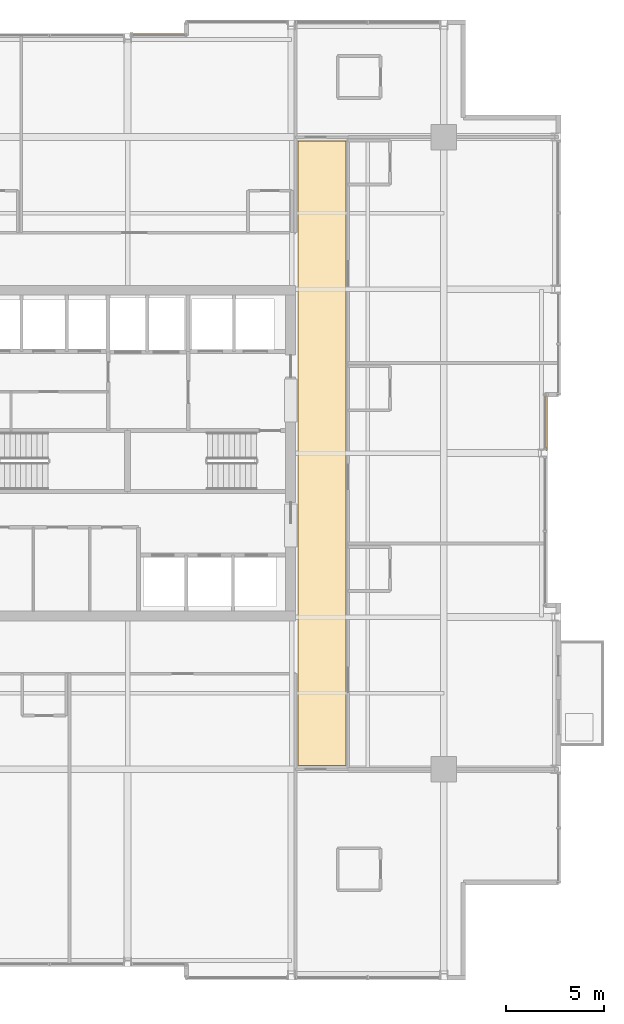
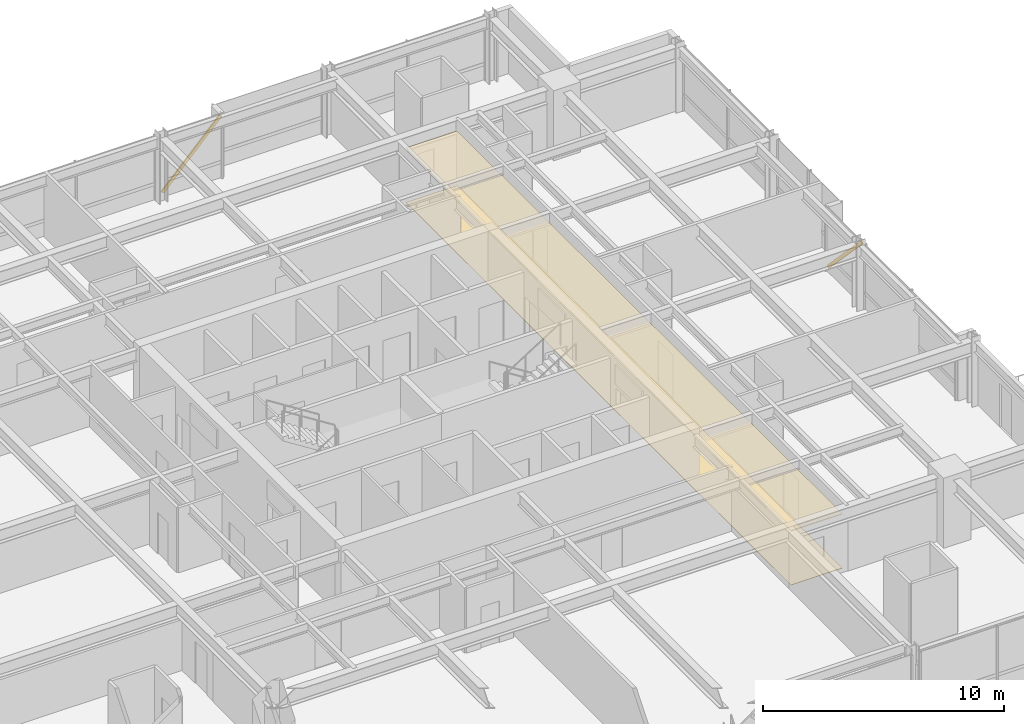
# One storey, part 33 of 33: 2 coverings, 2 shading devices.
"""IFC4 building model written with IfcOpenShell, lengths in metres."""

from ifc_helpers import new_model, si_unit, direction, frame, origin, origin_2d, place, context, subcontext, project, spatial, polyline, hollow_rectangle, outline, extrude, material, layer, layer_set, material_profile, profile_set, type_object, element, save


model = new_model("IFC4")

# Units and contexts
model_context = context("Model", 3, precision=1e-05, world=origin(), true_north=direction((0.0, 1.0)))
body_context = subcontext(model_context, "Body", "Model", "MODEL_VIEW")
ifc_project = project(units=[si_unit("LENGTHUNIT", "METRE"), si_unit("AREAUNIT", "SQUARE_METRE"), si_unit("VOLUMEUNIT", "CUBIC_METRE"), si_unit("PLANEANGLEUNIT", "RADIAN"), si_unit("MASSUNIT", "GRAM", prefix="KILO")], contexts=[model_context])

# Site, building, storey
site_placement = place(None, origin())
site = spatial("IfcSite", under=ifc_project, at=site_placement, CompositionType="ELEMENT")
building_placement = place(site_placement, origin())
building = spatial("IfcBuilding", under=site, at=building_placement, Name="Drelvath Grand Hotel", CompositionType="ELEMENT")
storey_placement = place(building_placement, frame((0.0, 0.0, 161.050048828125)))
storey = spatial("IfcBuildingStorey", under=building, at=storey_placement, Name="L41", CompositionType="ELEMENT", Elevation=161.050048828125)

# Shading devices
ifc_material_1 = material(Name="Brushed Pale-Silver Anodised Aluminium", Category="aluminium")
ifc_material_profile = material_profile(ifc_material_1, hollow_rectangle(XDim=0.06494140625, YDim=0.159912109375, WallThickness=0.00390625, at=origin_2d()), Name="HSS160X65X4")
ifc_profile_set = profile_set([ifc_material_profile], Name="Brushed Pale-Silver Anodised Aluminium")
shading_device_type = type_object("IfcShadingDeviceType", Name="Diagonal Solar Fin Pale-Silver Anodised HSS160X65X4", PredefinedType="USERDEFINED", material=ifc_profile_set)
for number, where, z_axis, x_axis, name in (
    (1, (21.47998046875, 30.0, 0.179931640625), (0.0, -0.690869667708, 0.722979323523), (1.0, 0.0, 0.0), "L41 Diagonal Anodised Fin CW04-L41-EM2"),
    (2, (0.2001953125, 48.47998046875, 0.179931640625), (0.690869667708, 0.0, 0.722979323523), (0.0, 1.0, 0.0), "L41 Diagonal Anodised Fin CW04-L41-NM2"),
):
    element("IfcShadingDevice", number, at=place(storey_placement, frame(where, z_axis=z_axis, x_axis=x_axis)), inside=storey, type_object=shading_device_type, Name=name, ObjectType="FIN", PredefinedType="USERDEFINED", context=body_context, shape_type="SweptSolid", body=[
        extrude(hollow_rectangle(XDim=0.06494140625, YDim=0.159912109375, WallThickness=0.00390625, at=origin_2d()), origin(), (0.0, 0.0, 1.0), 4.052490234375),
    ])

# Coverings
ifc_material_2 = material(Name="Woven Wool Broadloom Carpet")
ifc_layer_1 = layer(ifc_material_2, 0.01806640625)
ifc_layer_set_1 = layer_set([ifc_layer_1], Name="Woven Wool Broadloom Carpet")
covering_type_1 = type_object("IfcCoveringType", Name="Hospitality Broadloom Carpet 18", PredefinedType="FLOORING", material=ifc_layer_set_1)
covering_1_placement = place(storey_placement, origin())
element("IfcCovering", 3, at=covering_1_placement, inside=storey, type_object=covering_type_1, Name="L41 East Spine Carpet", PredefinedType="FLOORING", context=body_context, shape_type="SweptSolid", body=[
    extrude(outline(polyline([(11.179931640625, 11.0), (11.179931640625, 43.0), (8.719970703125, 43.0), (8.719970703125, 11.0), (11.179931640625, 11.0)])), origin(), (0.0, 0.0, 1.0), 0.01806640625),
])
ifc_material_3 = material(Name="Anodised Aluminium Alloy", Category="aluminium")
ifc_layer_2 = layer(ifc_material_3, 0.0400390625)
ifc_layer_set_2 = layer_set([ifc_layer_2], Name="Anodised Aluminium Alloy")
covering_type_2 = type_object("IfcCoveringType", Name="Perforated Metal Corridor Ceiling 40", PredefinedType="CEILING", material=ifc_layer_set_2)
covering_2_placement = place(storey_placement, frame((0.0, 0.0, 2.739990234375)))
element("IfcCovering", 4, at=covering_2_placement, inside=storey, type_object=covering_type_2, Name="L41 East Spine Ceiling", PredefinedType="CEILING", context=body_context, shape_type="SweptSolid", body=[
    extrude(outline(polyline([(11.179931640625, 11.0), (11.179931640625, 43.0), (8.719970703125, 43.0), (8.719970703125, 11.0), (11.179931640625, 11.0)])), origin(), (0.0, 0.0, 1.0), 0.0400390625),
])

save(model, "model.ifc")
